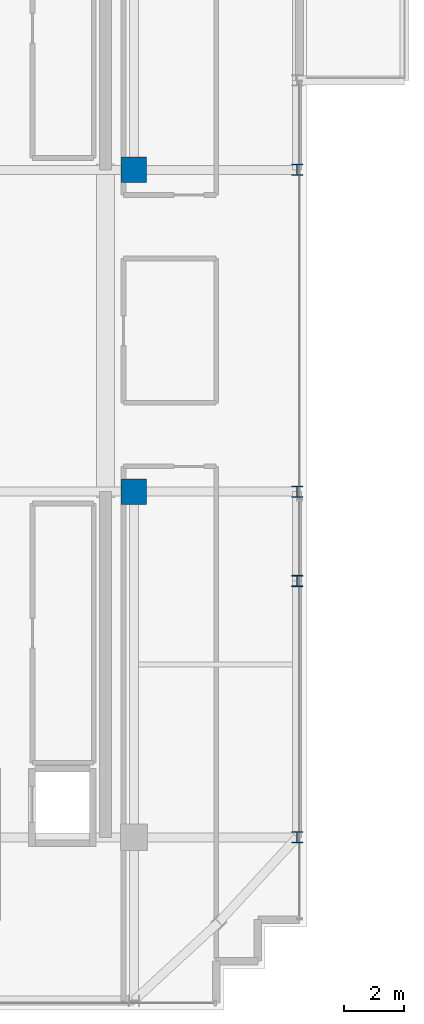
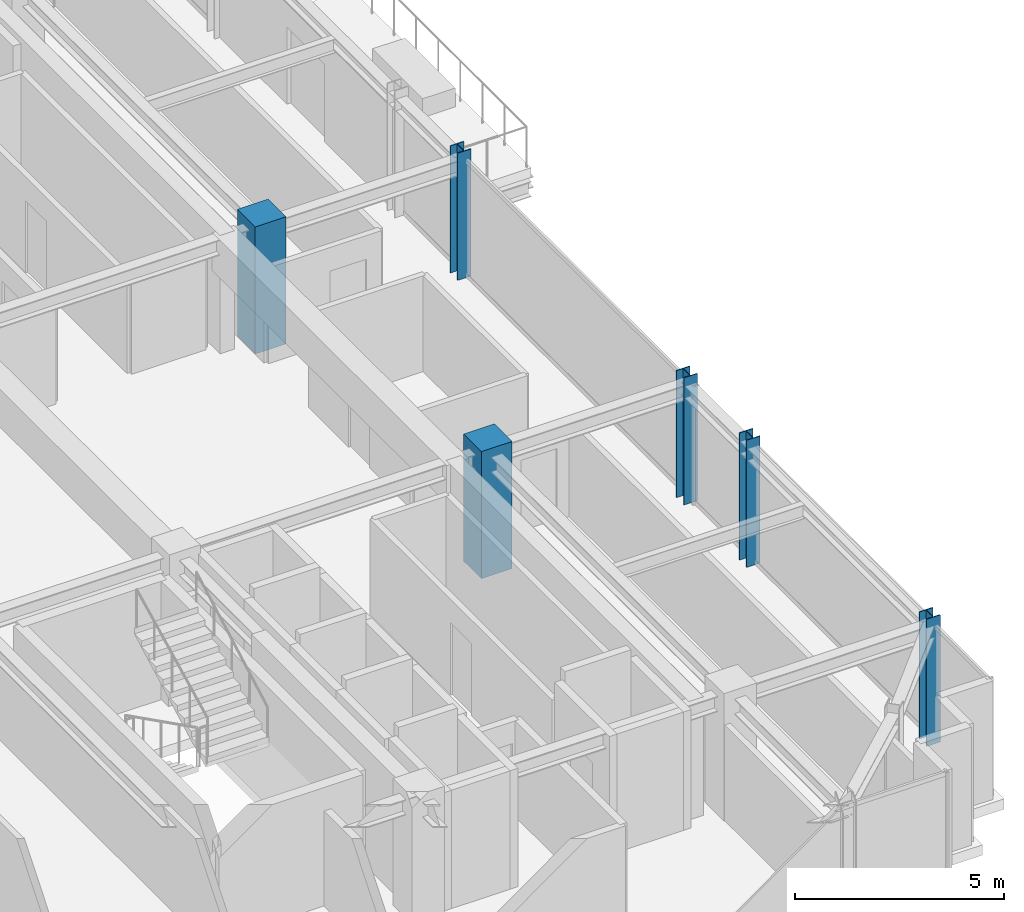
# One storey, part 2 of 32: 6 columns.
"""IFC4 building model written with IfcOpenShell, lengths in metres."""

from ifc_helpers import new_model, si_unit, direction, frame, origin, origin_2d, place, context, subcontext, project, spatial, rectangle, i_section, extrude, source, transform, mapped, material, material_profile, profile_set, type_object, element, save


model = new_model("IFC4")

# Units and contexts
model_context = context("Model", 3, precision=1e-05, world=origin(), true_north=direction((0.0, 1.0)))
body_context = subcontext(model_context, "Body", "Model", "MODEL_VIEW")
ifc_project = project(units=[si_unit("LENGTHUNIT", "METRE"), si_unit("AREAUNIT", "SQUARE_METRE"), si_unit("VOLUMEUNIT", "CUBIC_METRE"), si_unit("PLANEANGLEUNIT", "RADIAN"), si_unit("MASSUNIT", "GRAM", prefix="KILO")], contexts=[model_context])

# Site, building, storey
site_placement = place(None, origin())
site = spatial("IfcSite", under=ifc_project, at=site_placement, CompositionType="ELEMENT")
building_placement = place(site_placement, origin())
building = spatial("IfcBuilding", under=site, at=building_placement, Name="Nahalor Promenade Grand Hotel", CompositionType="ELEMENT")
storey_placement = place(building_placement, frame((0.0, 0.0, 285.050048828125)))
storey = spatial("IfcBuildingStorey", under=building, at=storey_placement, Name="L73", CompositionType="ELEMENT", Elevation=285.050048828125)

# Columns
ifc_material_1 = material(Name="Concrete B-70 (C60/75)", Category="concrete")
ifc_material_profile_1 = material_profile(ifc_material_1, rectangle(XDim=0.85, YDim=0.85, at=origin_2d()), Name="RC 850x850")
ifc_profile_set_1 = profile_set([ifc_material_profile_1], Name="Concrete B-70 (C60/75)")
column_type_1 = type_object("IfcColumnType", Name="Col-Pilaster-850", PredefinedType="PILASTER", material=ifc_profile_set_1)
shared_shape_1 = source(origin(), body_context, "Body", "SweptSolid", [
    extrude(rectangle(XDim=0.85, YDim=0.85, at=origin_2d()), origin(), (0.0, 0.0, 1.0), 3.704833984375),
])
for number, where, z_axis, x_axis, name in (
    (1, (17.0, -5.39990234375, 0.0), (0.0, 0.0, 1.0), (1.0, 0.0, 0.0), "COL-L73-I51"),
    (2, (17.0, 5.39990234375, 0.0), (0.0, 0.0, 1.0), (1.0, 0.0, 0.0), "COL-L73-I52"),
):
    element("IfcColumn", number, at=place(storey_placement, frame(where, z_axis=z_axis, x_axis=x_axis)), inside=storey, type_object=column_type_1, Name=name, PredefinedType="PILASTER", context=body_context, shape_type="MappedRepresentation", body=[
        mapped(shared_shape_1, transform((0.0, 0.0, 0.0), scale=1.0)),
    ])
ifc_material_2 = material(Name="Steel S355JR", Category="steel")
ifc_material_profile_2 = material_profile(ifc_material_2, i_section(OverallWidth=0.374, OverallDepth=0.374, WebThickness=0.0144, FlangeThickness=0.0229, at=origin_2d()), Name="HD 360x262")
ifc_profile_set_2 = profile_set([ifc_material_profile_2], Name="Steel S355JR")
column_type_2 = type_object("IfcColumnType", Name="Col-Steel-HD262", PredefinedType="COLUMN", material=ifc_profile_set_2)
shared_shape_2 = source(origin(), body_context, "Body", "SweptSolid", [
    extrude(i_section(OverallWidth=0.374, OverallDepth=0.374, WebThickness=0.0144, FlangeThickness=0.0229, at=origin_2d()), origin(), (0.0, 0.0, 1.0), 3.704833984375),
])
for number, where, z_axis, x_axis, name in (
    (3, (22.47998046875, -17.0, 0.0), (0.0, 0.0, 1.0), (1.0, 0.0, 0.0), "COL-L73-PW-E0"),
    (4, (22.47998046875, -8.39990234375, 0.0), (0.0, 0.0, 1.0), (1.0, 0.0, 0.0), "COL-L73-PW-E1"),
    (5, (22.47998046875, -5.39990234375, 0.0), (0.0, 0.0, 1.0), (1.0, 0.0, 0.0), "COL-L73-PW-E2"),
    (6, (22.47998046875, 5.39990234375, 0.0), (0.0, 0.0, 1.0), (1.0, 0.0, 0.0), "COL-L73-PW-E3"),
):
    element("IfcColumn", number, at=place(storey_placement, frame(where, z_axis=z_axis, x_axis=x_axis)), inside=storey, type_object=column_type_2, Name=name, PredefinedType="COLUMN", context=body_context, shape_type="MappedRepresentation", body=[
        mapped(shared_shape_2, transform((0.0, 0.0, 0.0), scale=1.0)),
    ])

save(model, "model.ifc")
